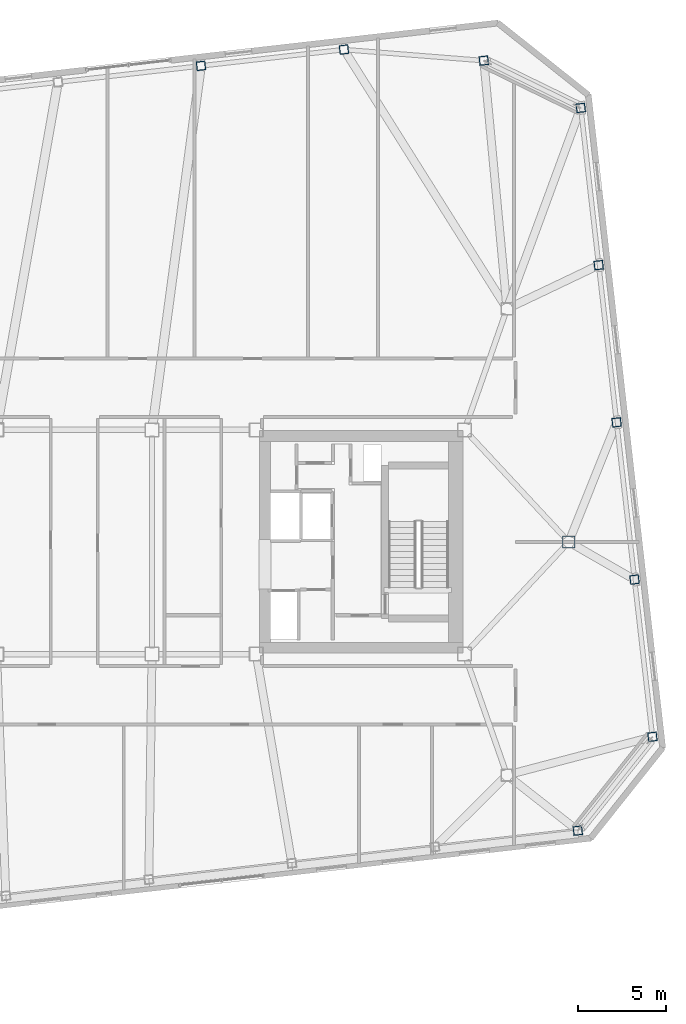
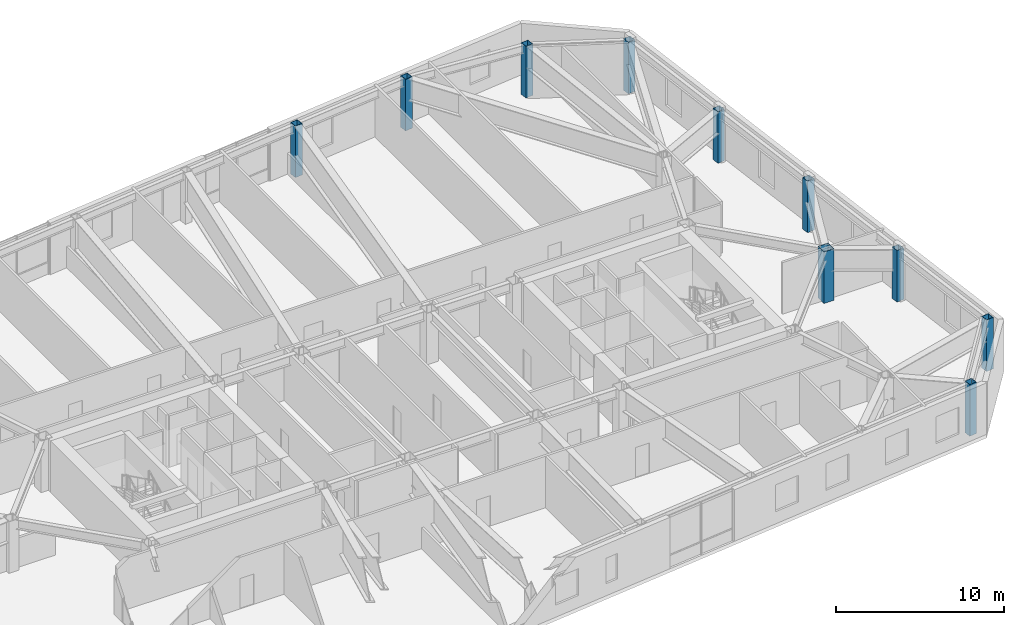
# One storey, part 3 of 18: 10 columns.
"""IFC4 building model written with IfcOpenShell, lengths in metres."""

from ifc_helpers import new_model, si_unit, direction, frame, origin, origin_2d, place, context, subcontext, project, spatial, hollow_rectangle, extrude, material, material_profile, profile_set, type_object, element, save


model = new_model("IFC4")

# Units and contexts
model_context = context("Model", 3, precision=1e-05, world=origin(), true_north=direction((0.0, 1.0)))
body_context = subcontext(model_context, "Body", "Model", "MODEL_VIEW")
ifc_project = project(units=[si_unit("LENGTHUNIT", "METRE"), si_unit("AREAUNIT", "SQUARE_METRE"), si_unit("VOLUMEUNIT", "CUBIC_METRE"), si_unit("PLANEANGLEUNIT", "RADIAN"), si_unit("MASSUNIT", "GRAM", prefix="KILO")], contexts=[model_context])

# Site, building, storey
site_placement = place(None, origin())
site = spatial("IfcSite", under=ifc_project, at=site_placement, CompositionType="ELEMENT")
building_placement = place(site_placement, origin())
building = spatial("IfcBuilding", under=site, at=building_placement, Name="Tavrogorsk Clinical Tower", CompositionType="ELEMENT")
storey_placement = place(building_placement, frame((0.0, 0.0, 222.199951171875)))
storey = spatial("IfcBuildingStorey", under=building, at=storey_placement, Name="L51", CompositionType="ELEMENT", Elevation=222.199951171875)

# Columns
ifc_material_1 = material(Name="Structural steel S440", Category="steel")
ifc_material_profile_1 = material_profile(ifc_material_1, hollow_rectangle(XDim=0.699951171875, YDim=0.699951171875, WallThickness=0.031982421875, at=origin_2d()), Name="BOX-700x700x32")
ifc_profile_set_1 = profile_set([ifc_material_profile_1], Name="Structural steel S440")
column_type_1 = type_object("IfcColumnType", Name="MegaCol_BOX700", PredefinedType="COLUMN", material=ifc_profile_set_1)
column_placement = place(storey_placement, frame((28.0, 0.0, 0.0), z_axis=(0.0, 0.0, 1.0), x_axis=(1.0, 0.0, 0.0)))
element("IfcColumn", 1, at=column_placement, inside=storey, type_object=column_type_1, Name="L51 Spine Pilotis Column MC-P6", PredefinedType="COLUMN", context=body_context, shape_type="SweptSolid", body=[
    extrude(hollow_rectangle(XDim=0.699951171875, YDim=0.699951171875, WallThickness=0.031982421875, at=origin_2d()), origin(), (0.0, 0.0, 1.0), 3.739990234375),
])
ifc_material_2 = material(Name="Structural steel S440", Category="steel")
ifc_material_profile_2 = material_profile(ifc_material_2, hollow_rectangle(XDim=0.5, YDim=0.5, WallThickness=0.02490234375, at=origin_2d()), Name="BOX-500x500x25")
ifc_profile_set_2 = profile_set([ifc_material_profile_2], Name="Structural steel S440")
column_type_2 = type_object("IfcColumnType", Name="PerimCol_B4_BOX500", PredefinedType="COLUMN", material=ifc_profile_set_2)
for number, where, z_axis, x_axis, name in (
    (2, (28.508544921875, -16.345458984375, 0.0), (0.0, 0.0, 1.0), (0.993571855677, 0.113203213768, 0.0), "L51 Perimeter Column S8"),
    (3, (23.188232421875, 27.25341796875, 0.0), (0.0, 0.0, 1.0), (0.993571855677, 0.113203213768, 0.0), "L51 Perimeter Column N1"),
    (4, (15.2685546875, 27.880126953125, 0.0), (0.0, 0.0, 1.0), (0.993571855677, 0.113203213768, 0.0), "L51 Perimeter Column N2"),
    (5, (7.17236328125, 26.95751953125, 0.0), (0.0, 0.0, 1.0), (0.993571855677, 0.113203213768, 0.0), "L51 Perimeter Column N3"),
    (6, (32.734375, -11.032958984375, 0.0), (0.0, 0.0, 1.0), (0.993571855677, 0.113203213768, 0.0), "L51 Perimeter Column E1"),
    (7, (31.72021484375, -2.130615234375, 0.0), (0.0, 0.0, 1.0), (0.993571855677, 0.113203213768, 0.0), "L51 Perimeter Column E2"),
    (8, (30.705810546875, 6.77197265625, 0.0), (0.0, 0.0, 1.0), (0.993571855677, 0.113203213768, 0.0), "L51 Perimeter Column E3"),
    (9, (29.69140625, 15.67431640625, 0.0), (0.0, 0.0, 1.0), (0.993571855677, 0.113203213768, 0.0), "L51 Perimeter Column E4"),
    (10, (28.67724609375, 24.57666015625, 0.0), (0.0, 0.0, 1.0), (0.993571855677, 0.113203213768, 0.0), "L51 Perimeter Column E5"),
):
    element("IfcColumn", number, at=place(storey_placement, frame(where, z_axis=z_axis, x_axis=x_axis)), inside=storey, type_object=column_type_2, Name=name, PredefinedType="COLUMN", context=body_context, shape_type="SweptSolid", body=[
        extrude(hollow_rectangle(XDim=0.5, YDim=0.5, WallThickness=0.02490234375, at=origin_2d()), origin(), (0.0, 0.0, 1.0), 3.739990234375),
    ])

save(model, "model.ifc")
